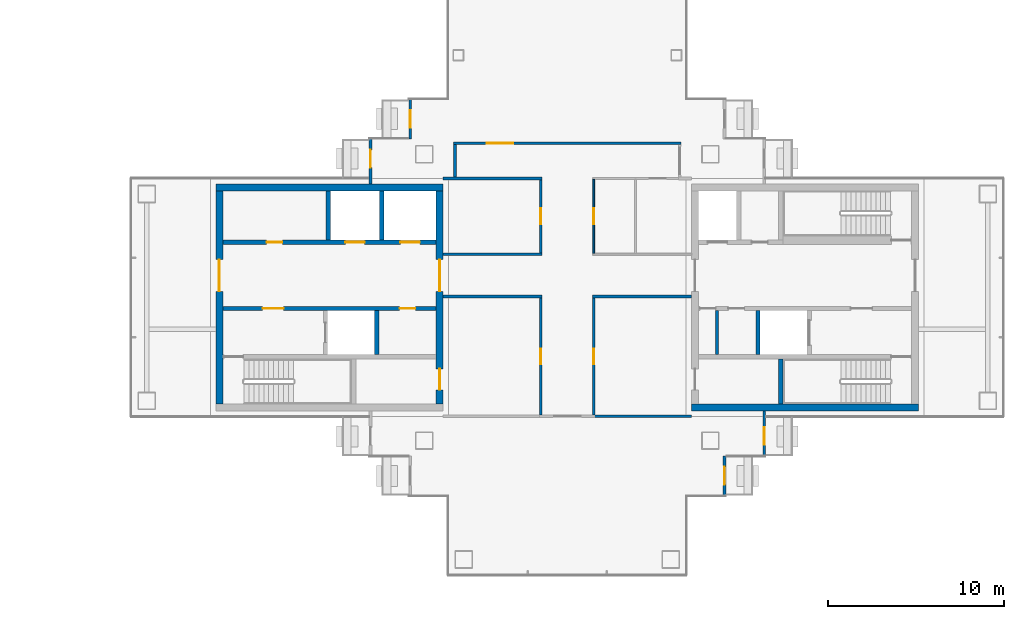
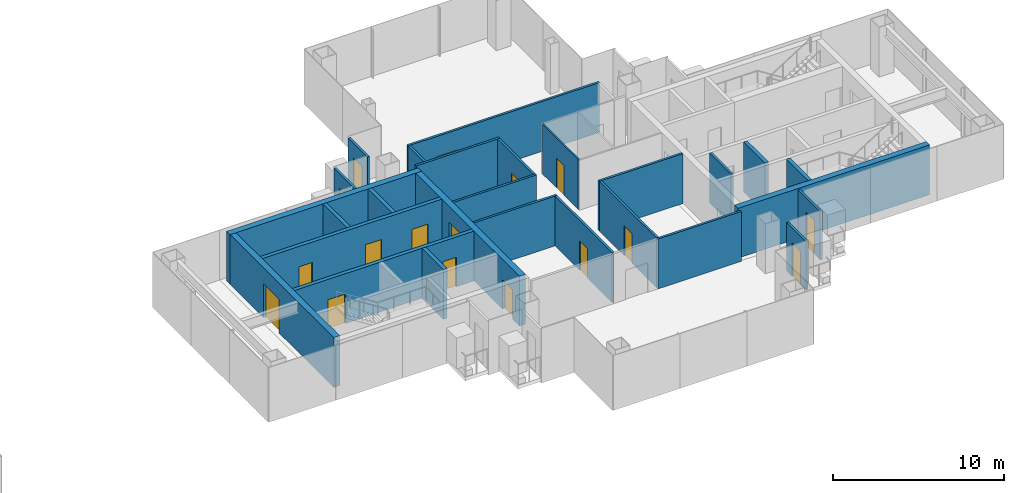
# One storey, part 11 of 16: 27 walls, 17 doors, 17 openings.
"""IFC4 building model written with IfcOpenShell, lengths in metres."""

from ifc_helpers import new_model, si_unit, direction, frame, frame_2d, origin, place, context, subcontext, project, spatial, rectangle, extrude, material, layer, layer_set, type_object, element, fill, save


model = new_model("IFC4")

# Units and contexts
model_context = context("Model", 3, precision=1e-05, world=origin(), true_north=direction((0.0, 1.0)))
body_context = subcontext(model_context, "Body", "Model", "MODEL_VIEW")
ifc_project = project(units=[si_unit("LENGTHUNIT", "METRE"), si_unit("AREAUNIT", "SQUARE_METRE"), si_unit("VOLUMEUNIT", "CUBIC_METRE"), si_unit("PLANEANGLEUNIT", "RADIAN"), si_unit("MASSUNIT", "GRAM", prefix="KILO")], contexts=[model_context])

# Site, building, storey
site_placement = place(None, origin())
site = spatial("IfcSite", under=ifc_project, at=site_placement, CompositionType="ELEMENT")
building_placement = place(site_placement, origin())
building = spatial("IfcBuilding", under=site, at=building_placement, Name="Shamsa Quay Exchange Towers", CompositionType="ELEMENT")
storey_placement = place(building_placement, frame((0.0, 0.0, 213.89990234375)))
storey = spatial("IfcBuildingStorey", under=building, at=storey_placement, Name="L51", CompositionType="ELEMENT", Elevation=213.89990234375)

# Wall, opening, door
ifc_material_1 = material(Name="Aluminium EN AW-6063 T6, black anodised, with black enamelled glass infill", Category="aluminium")
ifc_layer_1 = layer(ifc_material_1, 0.14990234375)
ifc_layer_set_1 = layer_set([ifc_layer_1], Name="BALCONY DOOR BAY WALL 150")
wall_type_1 = type_object("IfcWallType", Name="BALCONY DOOR BAY WALL 150", PredefinedType="SOLIDWALL", material=ifc_layer_set_1)
wall_1_placement = place(storey_placement, frame((24.824951171875, 9.0, 0.0), z_axis=(0.0, 0.0, 1.0), x_axis=(0.0, 1.0, 0.0)))
wall_1 = element("IfcWall", 1, at=wall_1_placement, inside=storey, type_object=wall_type_1, Name="Door bay T2-PKEN L51", PredefinedType="SOLIDWALL", context=body_context, shape_type="SweptSolid", body=[
    extrude(rectangle(XDim=2.25, YDim=0.14990234375, at=frame_2d((1.125, 0.0))), origin(), (0.0, 0.0, 1.0), 3.4501953125),
])
opening_1_placement = place(wall_1_placement, frame((0.625, 0.0, 0.0)))
opening_1 = element("IfcOpeningElement", 2, at=opening_1_placement, cuts=wall_1, Name="Opening XD337", PredefinedType="OPENING", context=body_context, shape_type="SweptSolid", body=[
    extrude(rectangle(XDim=1.0, YDim=2.39990234375, at=frame_2d((0.5, 1.199951171875))), frame((0.0, 0.0849609375, 0.0), z_axis=(0.0, -1.0, 0.0), x_axis=(1.0, 0.0, 0.0)), (0.0, 0.0, 1.0), 0.169921875),
])
ifc_material_2 = material(Name="Aluminium EN AW-6063 T6, black anodised, with laminated glass leaf", Category="aluminium")
door_type_1 = type_object("IfcDoorType", Name="BALCONY DOOR 1000x2400", OperationType="SINGLE_SWING_LEFT", PredefinedType="DOOR", material=ifc_material_2)
door_1_placement = place(opening_1_placement, origin())
door_1 = element("IfcDoor", 3, at=door_1_placement, inside=storey, type_object=door_type_1, Name="Balcony door T2-PKEN L51", OperationType="SINGLE_SWING_RIGHT", OverallHeight=2.39990234375, OverallWidth=1.0, PredefinedType="DOOR", context=body_context, shape_type="SweptSolid", body=[
    extrude(rectangle(XDim=1.0, YDim=2.39990234375, at=frame_2d((0.5, 1.199951171875))), frame((0.0, 0.02490234375, 0.0), z_axis=(0.0, -1.0, 0.0), x_axis=(1.0, 0.0, 0.0)), (0.0, 0.0, 1.0), 0.050048828125),
])
fill(opening_1, door_1)

wall_2_placement = place(storey_placement, frame((22.574951171875, 6.447998046875, 0.0), z_axis=(0.0, 0.0, 1.0), x_axis=(0.0, 1.0, 0.0)))
wall_2 = element("IfcWall", 4, at=wall_2_placement, inside=storey, type_object=wall_type_1, Name="Door bay T2-PKEN L51", PredefinedType="SOLIDWALL", context=body_context, shape_type="SweptSolid", body=[
    extrude(rectangle(XDim=2.552001953125, YDim=0.14990234375, at=frame_2d((1.27587890625, 0.0))), origin(), (0.0, 0.0, 1.0), 3.4501953125),
])
opening_2_placement = place(wall_2_placement, frame((0.927001953125, 0.0, 0.0)))
opening_2 = element("IfcOpeningElement", 5, at=opening_2_placement, cuts=wall_2, Name="Opening XD338", PredefinedType="OPENING", context=body_context, shape_type="SweptSolid", body=[
    extrude(rectangle(XDim=1.0, YDim=2.39990234375, at=frame_2d((0.5, 1.199951171875))), frame((0.0, 0.0849609375, 0.0), z_axis=(0.0, -1.0, 0.0), x_axis=(1.0, 0.0, 0.0)), (0.0, 0.0, 1.0), 0.169921875),
])
door_2_placement = place(opening_2_placement, origin())
door_2 = element("IfcDoor", 6, at=door_2_placement, inside=storey, type_object=door_type_1, Name="Balcony door T2-PKEN L51", OperationType="SINGLE_SWING_LEFT", OverallHeight=2.39990234375, OverallWidth=1.0, PredefinedType="DOOR", context=body_context, shape_type="SweptSolid", body=[
    extrude(rectangle(XDim=1.0, YDim=2.39990234375, at=frame_2d((0.5, 1.199951171875))), frame((0.0, 0.02490234375, 0.0), z_axis=(0.0, -1.0, 0.0), x_axis=(1.0, 0.0, 0.0)), (0.0, 0.0, 1.0), 0.050048828125),
])
fill(opening_2, door_2)

wall_3_placement = place(storey_placement, frame((42.675048828125, -9.0, 0.0), z_axis=(0.0, 0.0, 1.0), x_axis=(0.0, -1.0, 0.0)))
wall_3 = element("IfcWall", 7, at=wall_3_placement, inside=storey, type_object=wall_type_1, Name="Door bay T2-PKWS L51", PredefinedType="SOLIDWALL", context=body_context, shape_type="SweptSolid", body=[
    extrude(rectangle(XDim=2.25, YDim=0.14990234375, at=frame_2d((1.125, 0.0))), origin(), (0.0, 0.0, 1.0), 3.4501953125),
])
opening_3_placement = place(wall_3_placement, frame((0.625, 0.0, 0.0)))
opening_3 = element("IfcOpeningElement", 8, at=opening_3_placement, cuts=wall_3, Name="Opening XD343", PredefinedType="OPENING", context=body_context, shape_type="SweptSolid", body=[
    extrude(rectangle(XDim=1.0, YDim=2.39990234375, at=frame_2d((0.5, 1.199951171875))), frame((0.0, 0.0849609375, 0.0), z_axis=(0.0, -1.0, 0.0), x_axis=(1.0, 0.0, 0.0)), (0.0, 0.0, 1.0), 0.169921875),
])
door_3_placement = place(opening_3_placement, origin())
door_3 = element("IfcDoor", 9, at=door_3_placement, inside=storey, type_object=door_type_1, Name="Balcony door T2-PKWS L51", OperationType="SINGLE_SWING_LEFT", OverallHeight=2.39990234375, OverallWidth=1.0, PredefinedType="DOOR", context=body_context, shape_type="SweptSolid", body=[
    extrude(rectangle(XDim=1.0, YDim=2.39990234375, at=frame_2d((0.5, 1.199951171875))), frame((0.0, 0.02490234375, 0.0), z_axis=(0.0, -1.0, 0.0), x_axis=(1.0, 0.0, 0.0)), (0.0, 0.0, 1.0), 0.050048828125),
])
fill(opening_3, door_3)

wall_4_placement = place(storey_placement, frame((44.925048828125, -6.447998046875, 0.0), z_axis=(0.0, 0.0, 1.0), x_axis=(0.0, -1.0, 0.0)))
wall_4 = element("IfcWall", 10, at=wall_4_placement, inside=storey, type_object=wall_type_1, Name="Door bay T2-PKWS L51", PredefinedType="SOLIDWALL", context=body_context, shape_type="SweptSolid", body=[
    extrude(rectangle(XDim=2.552001953125, YDim=0.14990234375, at=frame_2d((1.27587890625, 0.0))), origin(), (0.0, 0.0, 1.0), 3.4501953125),
])
opening_4_placement = place(wall_4_placement, frame((0.927001953125, 0.0, 0.0)))
opening_4 = element("IfcOpeningElement", 11, at=opening_4_placement, cuts=wall_4, Name="Opening XD344", PredefinedType="OPENING", context=body_context, shape_type="SweptSolid", body=[
    extrude(rectangle(XDim=1.0, YDim=2.39990234375, at=frame_2d((0.5, 1.199951171875))), frame((0.0, 0.0849609375, 0.0), z_axis=(0.0, -1.0, 0.0), x_axis=(1.0, 0.0, 0.0)), (0.0, 0.0, 1.0), 0.169921875),
])
door_4_placement = place(opening_4_placement, origin())
door_4 = element("IfcDoor", 12, at=door_4_placement, inside=storey, type_object=door_type_1, Name="Balcony door T2-PKWS L51", OperationType="SINGLE_SWING_RIGHT", OverallHeight=2.39990234375, OverallWidth=1.0, PredefinedType="DOOR", context=body_context, shape_type="SweptSolid", body=[
    extrude(rectangle(XDim=1.0, YDim=2.39990234375, at=frame_2d((0.5, 1.199951171875))), frame((0.0, 0.02490234375, 0.0), z_axis=(0.0, -1.0, 0.0), x_axis=(1.0, 0.0, 0.0)), (0.0, 0.0, 1.0), 0.050048828125),
])
fill(opening_4, door_4)

# Wall
ifc_material_3 = material(Name="Concrete C60/75", Category="concrete")
ifc_layer_2 = layer(ifc_material_3, 0.39990234375)
ifc_layer_set_2 = layer_set([ifc_layer_2], Name="CORE WALL 400 C60/75")
wall_type_2 = type_object("IfcWallType", Name="CORE WALL 400 C60/75", PredefinedType="SHEAR", material=ifc_layer_set_2)
wall_5_placement = place(storey_placement, frame((13.800048828125, 6.25, 0.0)))
element("IfcWall", 13, at=wall_5_placement, inside=storey, type_object=wall_type_2, Name="Core wall T2A-R23-PN", PredefinedType="SHEAR", context=body_context, shape_type="SweptSolid", body=[
    extrude(rectangle(XDim=12.89990234375, YDim=0.39990234375, at=frame_2d((6.449951171875, 0.0))), origin(), (0.0, 0.0, 1.0), 3.550048828125),
])

# Wall, opening, door
wall_6_placement = place(storey_placement, frame((14.0, 6.050048828125, 0.0), z_axis=(0.0, 0.0, 1.0), x_axis=(0.0, -1.0, 0.0)))
wall_6 = element("IfcWall", 14, at=wall_6_placement, inside=storey, type_object=wall_type_2, Name="Core wall T2A-R23-PF", PredefinedType="SHEAR", context=body_context, shape_type="SweptSolid", body=[
    extrude(rectangle(XDim=12.10009765625, YDim=0.39990234375, at=frame_2d((6.050048828125, 0.0))), origin(), (0.0, 0.0, 1.0), 3.550048828125),
])
opening_5_placement = place(wall_6_placement, frame((3.89990234375, 0.0, 0.0)))
opening_5 = element("IfcOpeningElement", 15, at=opening_5_placement, cuts=wall_6, Name="Opening T2A-R23-LBD01", PredefinedType="OPENING", context=body_context, shape_type="SweptSolid", body=[
    extrude(rectangle(XDim=1.800048828125, YDim=2.39990234375, at=frame_2d((0.89990234375, 1.199951171875))), frame((0.0, 0.2099609375, 0.0), z_axis=(0.0, -1.0, 0.0), x_axis=(1.0, 0.0, 0.0)), (0.0, 0.0, 1.0), 0.419921875),
])
ifc_material_4 = material(Name="Steel, fire rated", Category="steel")
door_type_2 = type_object("IfcDoorType", Name="LIFT LOBBY DOOR PAIR 1800", OperationType="DOUBLE_DOOR_SINGLE_SWING", PredefinedType="DOOR", material=ifc_material_4)
door_5_placement = place(opening_5_placement, origin())
door_5 = element("IfcDoor", 16, at=door_5_placement, inside=storey, type_object=door_type_2, Name="T2A-R23-LBD01", OperationType="DOUBLE_DOOR_SINGLE_SWING", OverallHeight=2.39990234375, OverallWidth=1.800048828125, PredefinedType="DOOR", context=body_context, shape_type="SweptSolid", body=[
    extrude(rectangle(XDim=1.800048828125, YDim=2.39990234375, at=frame_2d((0.89990234375, 1.199951171875))), frame((0.0, 0.02490234375, 0.0), z_axis=(0.0, -1.0, 0.0), x_axis=(1.0, 0.0, 0.0)), (0.0, 0.0, 1.0), 0.050048828125),
])
fill(opening_5, door_5)

# Wall, openings, doors
wall_7_placement = place(storey_placement, frame((26.5, 6.050048828125, 0.0), z_axis=(0.0, 0.0, 1.0), x_axis=(0.0, -1.0, 0.0)))
wall_7 = element("IfcWall", 17, at=wall_7_placement, inside=storey, type_object=wall_type_2, Name="Core wall T2A-R23-PB", PredefinedType="SHEAR", context=body_context, shape_type="SweptSolid", body=[
    extrude(rectangle(XDim=12.10009765625, YDim=0.39990234375, at=frame_2d((6.050048828125, 0.0))), origin(), (0.0, 0.0, 1.0), 3.550048828125),
])
opening_6_placement = place(wall_7_placement, frame((10.10009765625, 0.0, 0.0)))
opening_6 = element("IfcOpeningElement", 18, at=opening_6_placement, cuts=wall_7, Name="Opening T2A-R23-RD02", PredefinedType="OPENING", context=body_context, shape_type="SweptSolid", body=[
    extrude(rectangle(XDim=1.199951171875, YDim=2.10009765625, at=frame_2d((0.60009765625, 1.050048828125))), frame((0.0, 0.2099609375, 0.0), z_axis=(0.0, -1.0, 0.0), x_axis=(1.0, 0.0, 0.0)), (0.0, 0.0, 1.0), 0.419921875),
])
opening_7_placement = place(wall_7_placement, frame((3.89990234375, 0.0, 0.0)))
opening_7 = element("IfcOpeningElement", 19, at=opening_7_placement, cuts=wall_7, Name="Opening T2A-R23-LBD03", PredefinedType="OPENING", context=body_context, shape_type="SweptSolid", body=[
    extrude(rectangle(XDim=1.800048828125, YDim=2.39990234375, at=frame_2d((0.89990234375, 1.199951171875))), frame((0.0, 0.2099609375, 0.0), z_axis=(0.0, -1.0, 0.0), x_axis=(1.0, 0.0, 0.0)), (0.0, 0.0, 1.0), 0.419921875),
])
door_6_placement = place(opening_7_placement, origin())
door_6 = element("IfcDoor", 20, at=door_6_placement, inside=storey, type_object=door_type_2, Name="T2A-R23-LBD03", OperationType="DOUBLE_DOOR_SINGLE_SWING", OverallHeight=2.39990234375, OverallWidth=1.800048828125, PredefinedType="DOOR", context=body_context, shape_type="SweptSolid", body=[
    extrude(rectangle(XDim=1.800048828125, YDim=2.39990234375, at=frame_2d((0.89990234375, 1.199951171875))), frame((0.0, 0.02490234375, 0.0), z_axis=(0.0, -1.0, 0.0), x_axis=(1.0, 0.0, 0.0)), (0.0, 0.0, 1.0), 0.050048828125),
])
fill(opening_7, door_6)
door_type_3 = type_object("IfcDoorType", Name="RISER ACCESS DOOR 1200", OperationType="SINGLE_SWING_LEFT", PredefinedType="DOOR", material=ifc_material_4)
door_7_placement = place(opening_6_placement, origin())
door_7 = element("IfcDoor", 21, at=door_7_placement, inside=storey, type_object=door_type_3, Name="T2A-R23-RD02", OperationType="SINGLE_SWING_RIGHT", OverallHeight=2.10009765625, OverallWidth=1.199951171875, PredefinedType="DOOR", context=body_context, shape_type="SweptSolid", body=[
    extrude(rectangle(XDim=1.199951171875, YDim=2.10009765625, at=frame_2d((0.60009765625, 1.050048828125))), frame((0.0, 0.02490234375, 0.0), z_axis=(0.0, -1.0, 0.0), x_axis=(1.0, 0.0, 0.0)), (0.0, 0.0, 1.0), 0.050048828125),
])
fill(opening_6, door_7)

# Walls
wall_8_placement = place(storey_placement, frame((53.699951171875, -6.25, 0.0), z_axis=(0.0, 0.0, 1.0), x_axis=(-1.0, 0.0, 0.0)))
element("IfcWall", 22, at=wall_8_placement, inside=storey, type_object=wall_type_2, Name="Core wall T2B-R23-PS", PredefinedType="SHEAR", context=body_context, shape_type="SweptSolid", body=[
    extrude(rectangle(XDim=12.89990234375, YDim=0.39990234375, at=frame_2d((6.449951171875, 0.0))), origin(), (0.0, 0.0, 1.0), 3.550048828125),
])
ifc_material_5 = material(Name="Gypsum board on steel studs, EI 60", Category="steel")
ifc_layer_3 = layer(ifc_material_5, 0.14990234375)
ifc_layer_set_3 = layer_set([ifc_layer_3], Name="FIRE PARTITION 150")
wall_type_3 = type_object("IfcWallType", Name="FIRE PARTITION 150", PredefinedType="PARTITIONING", material=ifc_layer_set_3)
wall_9_placement = place(storey_placement, frame((42.25, -3.25, 0.0), z_axis=(0.0, 0.0, 1.0), x_axis=(0.0, 1.0, 0.0)))
element("IfcWall", 23, at=wall_9_placement, inside=storey, type_object=wall_type_3, Name="Partition T2B-R23-EC0", PredefinedType="PARTITIONING", context=body_context, shape_type="SweptSolid", body=[
    extrude(rectangle(XDim=2.5, YDim=0.14990234375, at=frame_2d((1.25, 0.0))), origin(), (0.0, 0.0, 1.0), 3.550048828125),
])

# Wall, opening, door
ifc_material_6 = material(Name="Gypsum board partition on metal studs")
ifc_layer_4 = layer(ifc_material_6, 0.10009765625)
ifc_layer_set_4 = layer_set([ifc_layer_4], Name="Partition 100 mm NOT RATED")
wall_type_4 = type_object("IfcWallType", Name="Partition 100 mm NOT RATED", PredefinedType="PARTITIONING", material=ifc_layer_set_4)
wall_10_placement = place(storey_placement, frame((35.25, 6.699951171875, 0.0), z_axis=(0.0, 0.0, 1.0), x_axis=(0.0, -1.0, 0.0)))
wall_10 = element("IfcWall", 24, at=wall_10_placement, inside=storey, type_object=wall_type_4, Name="Partition T2-R23-W10", PredefinedType="PARTITIONING", context=body_context, shape_type="SweptSolid", body=[
    extrude(rectangle(XDim=4.19970703125, YDim=0.10009765625, at=frame_2d((2.099853515625, 0.0))), origin(), (0.0, 0.0, 1.0), 3.550048828125),
])
opening_8_placement = place(wall_10_placement, frame((1.64990234375, 0.0, 0.0)))
opening_8 = element("IfcOpeningElement", 25, at=opening_8_placement, cuts=wall_10, Name="Opening T2-R23-D03", PredefinedType="OPENING", context=body_context, shape_type="SweptSolid", body=[
    extrude(rectangle(XDim=0.89990234375, YDim=2.10009765625, at=frame_2d((0.449951171875, 1.050048828125))), frame((0.0, 0.06005859375, 0.0), z_axis=(0.0, -1.0, 0.0), x_axis=(1.0, 0.0, 0.0)), (0.0, 0.0, 1.0), 0.1201171875),
])
ifc_material_7 = material(Name="Timber door leaf in a metal frame", Category="wood")
door_type_4 = type_object("IfcDoorType", Name="Door 900x2100 NOT RATED", OperationType="NOTDEFINED", PredefinedType="DOOR", material=ifc_material_7)
door_8_placement = place(opening_8_placement, origin())
door_8 = element("IfcDoor", 26, at=door_8_placement, inside=storey, type_object=door_type_4, Name="Door T2-R23-D03", OperationType="SINGLE_SWING_RIGHT", OverallHeight=2.10009765625, OverallWidth=0.89990234375, PredefinedType="DOOR", context=body_context, shape_type="SweptSolid", body=[
    extrude(rectangle(XDim=0.89990234375, YDim=2.10009765625, at=frame_2d((0.449951171875, 1.050048828125))), frame((0.0, 0.02490234375, 0.0), z_axis=(0.0, -1.0, 0.0), x_axis=(1.0, 0.0, 0.0)), (0.0, 0.0, 1.0), 0.050048828125),
])
fill(opening_8, door_8)

# Wall
ifc_layer_5 = layer(ifc_material_6, 0.14990234375)
ifc_layer_set_5 = layer_set([ifc_layer_5], Name="Partition 150 mm EI 60")
wall_type_5 = type_object("IfcWallType", Name="Partition 150 mm EI 60", PredefinedType="PARTITIONING", material=ifc_layer_set_5)
wall_11_placement = place(storey_placement, frame((32.324951171875, 6.75, 0.0), z_axis=(0.0, 0.0, 1.0), x_axis=(-1.0, 0.0, 0.0)))
element("IfcWall", 27, at=wall_11_placement, inside=storey, type_object=wall_type_5, Name="Partition T2-R23-W01", PredefinedType="PARTITIONING", context=body_context, shape_type="SweptSolid", body=[
    extrude(rectangle(XDim=5.625, YDim=0.14990234375, at=frame_2d((2.8125, 0.0))), origin(), (0.0, 0.0, 1.0), 3.550048828125),
])

# Wall, opening, door
wall_12_placement = place(storey_placement, frame((32.25, 2.525146484375, 0.0), z_axis=(0.0, 0.0, 1.0), x_axis=(0.0, 1.0, 0.0)))
wall_12 = element("IfcWall", 28, at=wall_12_placement, inside=storey, type_object=wall_type_5, Name="Partition T2-R23-W03", PredefinedType="PARTITIONING", context=body_context, shape_type="SweptSolid", body=[
    extrude(rectangle(XDim=4.14990234375, YDim=0.14990234375, at=frame_2d((2.074951171875, 0.0))), origin(), (0.0, 0.0, 1.0), 3.550048828125),
])
opening_9_placement = place(wall_12_placement, frame((1.625, 0.0, 0.0)))
opening_9 = element("IfcOpeningElement", 29, at=opening_9_placement, cuts=wall_12, Name="Opening T2-R23-D07", PredefinedType="OPENING", context=body_context, shape_type="SweptSolid", body=[
    extrude(rectangle(XDim=0.89990234375, YDim=2.10009765625, at=frame_2d((0.449951171875, 1.050048828125))), frame((0.0, 0.0849609375, 0.0), z_axis=(0.0, -1.0, 0.0), x_axis=(1.0, 0.0, 0.0)), (0.0, 0.0, 1.0), 0.169921875),
])
door_type_5 = type_object("IfcDoorType", Name="Door 900x2100 FD30S", OperationType="NOTDEFINED", PredefinedType="DOOR", material=ifc_material_7)
door_9_placement = place(opening_9_placement, origin())
door_9 = element("IfcDoor", 30, at=door_9_placement, inside=storey, type_object=door_type_5, Name="Door T2-R23-D07", OperationType="SINGLE_SWING_LEFT", OverallHeight=2.10009765625, OverallWidth=0.89990234375, PredefinedType="DOOR", context=body_context, shape_type="SweptSolid", body=[
    extrude(rectangle(XDim=0.89990234375, YDim=2.10009765625, at=frame_2d((0.449951171875, 1.050048828125))), frame((0.0, 0.02490234375, 0.0), z_axis=(0.0, -1.0, 0.0), x_axis=(1.0, 0.0, 0.0)), (0.0, 0.0, 1.0), 0.050048828125),
])
fill(opening_9, door_9)

wall_13_placement = place(storey_placement, frame((32.25, -6.675048828125, 0.0), z_axis=(0.0, 0.0, 1.0), x_axis=(0.0, 1.0, 0.0)))
wall_13 = element("IfcWall", 31, at=wall_13_placement, inside=storey, type_object=wall_type_5, Name="Partition T2-R23-W04", PredefinedType="PARTITIONING", context=body_context, shape_type="SweptSolid", body=[
    extrude(rectangle(XDim=6.64990234375, YDim=0.14990234375, at=frame_2d((3.324951171875, 0.0))), origin(), (0.0, 0.0, 1.0), 3.550048828125),
])
opening_10_placement = place(wall_13_placement, frame((2.875, 0.0, 0.0)))
opening_10 = element("IfcOpeningElement", 32, at=opening_10_placement, cuts=wall_13, Name="Opening T2-R23-D06", PredefinedType="OPENING", context=body_context, shape_type="SweptSolid", body=[
    extrude(rectangle(XDim=0.89990234375, YDim=2.10009765625, at=frame_2d((0.449951171875, 1.050048828125))), frame((0.0, 0.0849609375, 0.0), z_axis=(0.0, -1.0, 0.0), x_axis=(1.0, 0.0, 0.0)), (0.0, 0.0, 1.0), 0.169921875),
])
door_10_placement = place(opening_10_placement, origin())
door_10 = element("IfcDoor", 33, at=door_10_placement, inside=storey, type_object=door_type_5, Name="Door T2-R23-D06", OperationType="SINGLE_SWING_LEFT", OverallHeight=2.10009765625, OverallWidth=0.89990234375, PredefinedType="DOOR", context=body_context, shape_type="SweptSolid", body=[
    extrude(rectangle(XDim=0.89990234375, YDim=2.10009765625, at=frame_2d((0.449951171875, 1.050048828125))), frame((0.0, 0.02490234375, 0.0), z_axis=(0.0, -1.0, 0.0), x_axis=(1.0, 0.0, 0.0)), (0.0, 0.0, 1.0), 0.050048828125),
])
fill(opening_10, door_10)

# Walls
wall_14_placement = place(storey_placement, frame((26.699951171875, 2.4501953125, 0.0)))
element("IfcWall", 34, at=wall_14_placement, inside=storey, type_object=wall_type_5, Name="Partition T2-R23-W05", PredefinedType="PARTITIONING", context=body_context, shape_type="SweptSolid", body=[
    extrude(rectangle(XDim=5.625, YDim=0.14990234375, at=frame_2d((2.8125, 0.0))), origin(), (0.0, 0.0, 1.0), 3.550048828125),
])
for number, where, z_axis, x_axis, name in (
    (35, (32.324951171875, 0.0498046875, 0.0), (0.0, 0.0, 1.0), (-1.0, 0.0, 0.0), "Partition T2-R23-W06"),
    (36, (40.800048828125, 0.0498046875, 0.0), (0.0, 0.0, 1.0), (-1.0, 0.0, 0.0), "Partition T2-R23-W07"),
):
    element("IfcWall", number, at=place(storey_placement, frame(where, z_axis=z_axis, x_axis=x_axis)), inside=storey, type_object=wall_type_5, Name=name, PredefinedType="PARTITIONING", context=body_context, shape_type="SweptSolid", body=[
        extrude(rectangle(XDim=5.625, YDim=0.14990234375, at=frame_2d((2.8125, 0.0))), origin(), (0.0, 0.0, 1.0), 3.550048828125),
    ])

# Wall, opening, door
wall_15_placement = place(storey_placement, frame((35.25, -0.025146484375, 0.0), z_axis=(0.0, 0.0, 1.0), x_axis=(0.0, -1.0, 0.0)))
wall_15 = element("IfcWall", 37, at=wall_15_placement, inside=storey, type_object=wall_type_5, Name="Partition T2-R23-W11", PredefinedType="PARTITIONING", context=body_context, shape_type="SweptSolid", body=[
    extrude(rectangle(XDim=6.64990234375, YDim=0.14990234375, at=frame_2d((3.324951171875, 0.0))), origin(), (0.0, 0.0, 1.0), 3.550048828125),
])
opening_11_placement = place(wall_15_placement, frame((2.875, 0.0, 0.0)))
opening_11 = element("IfcOpeningElement", 38, at=opening_11_placement, cuts=wall_15, Name="Opening T2-R23-D02", PredefinedType="OPENING", context=body_context, shape_type="SweptSolid", body=[
    extrude(rectangle(XDim=0.89990234375, YDim=2.10009765625, at=frame_2d((0.449951171875, 1.050048828125))), frame((0.0, 0.0849609375, 0.0), z_axis=(0.0, -1.0, 0.0), x_axis=(1.0, 0.0, 0.0)), (0.0, 0.0, 1.0), 0.169921875),
])
door_11_placement = place(opening_11_placement, origin())
door_11 = element("IfcDoor", 39, at=door_11_placement, inside=storey, type_object=door_type_5, Name="Door T2-R23-D02", OperationType="SINGLE_SWING_RIGHT", OverallHeight=2.10009765625, OverallWidth=0.89990234375, PredefinedType="DOOR", context=body_context, shape_type="SweptSolid", body=[
    extrude(rectangle(XDim=0.89990234375, YDim=2.10009765625, at=frame_2d((0.449951171875, 1.050048828125))), frame((0.0, 0.02490234375, 0.0), z_axis=(0.0, -1.0, 0.0), x_axis=(1.0, 0.0, 0.0)), (0.0, 0.0, 1.0), 0.050048828125),
])
fill(opening_11, door_11)

wall_16_placement = place(storey_placement, frame((40.199951171875, 8.75, 0.0), z_axis=(0.0, 0.0, 1.0), x_axis=(-1.0, 0.0, 0.0)))
wall_16 = element("IfcWall", 40, at=wall_16_placement, inside=storey, type_object=wall_type_5, Name="Partition T2-R23-W13", PredefinedType="PARTITIONING", context=body_context, shape_type="SweptSolid", body=[
    extrude(rectangle(XDim=12.89990234375, YDim=0.14990234375, at=frame_2d((6.449951171875, 0.0))), origin(), (0.0, 0.0, 1.0), 3.550048828125),
])
opening_12_placement = place(wall_16_placement, frame((9.52490234375, 0.0, 0.0)))
opening_12 = element("IfcOpeningElement", 41, at=opening_12_placement, cuts=wall_16, Name="Opening T2-R23-D08", PredefinedType="OPENING", context=body_context, shape_type="SweptSolid", body=[
    extrude(rectangle(XDim=1.5, YDim=2.10009765625, at=frame_2d((0.75, 1.050048828125))), frame((0.0, 0.0849609375, 0.0), z_axis=(0.0, -1.0, 0.0), x_axis=(1.0, 0.0, 0.0)), (0.0, 0.0, 1.0), 0.169921875),
])
door_type_6 = type_object("IfcDoorType", Name="Door 1500x2100 FD30S pair", OperationType="NOTDEFINED", PredefinedType="DOOR", material=ifc_material_7)
door_12_placement = place(opening_12_placement, origin())
door_12 = element("IfcDoor", 42, at=door_12_placement, inside=storey, type_object=door_type_6, Name="Door T2-R23-D08", OperationType="DOUBLE_DOOR_SINGLE_SWING", OverallHeight=2.10009765625, OverallWidth=1.5, PredefinedType="DOOR", context=body_context, shape_type="SweptSolid", body=[
    extrude(rectangle(XDim=1.5, YDim=2.10009765625, at=frame_2d((0.75, 1.050048828125))), frame((0.0, 0.02490234375, 0.0), z_axis=(0.0, -1.0, 0.0), x_axis=(1.0, 0.0, 0.0)), (0.0, 0.0, 1.0), 0.050048828125),
])
fill(opening_12, door_12)

# Walls
wall_17_placement = place(storey_placement, frame((27.375, 8.675048828125, 0.0), z_axis=(0.0, 0.0, 1.0), x_axis=(0.0, -1.0, 0.0)))
element("IfcWall", 43, at=wall_17_placement, inside=storey, type_object=wall_type_5, Name="Partition T2-R23-W14", PredefinedType="PARTITIONING", context=body_context, shape_type="SweptSolid", body=[
    extrude(rectangle(XDim=1.85009765625, YDim=0.14990234375, at=frame_2d((0.925048828125, 0.0))), origin(), (0.0, 0.0, 1.0), 3.550048828125),
])
wall_18_placement = place(storey_placement, frame((35.175048828125, -6.75, 0.0)))
element("IfcWall", 44, at=wall_18_placement, inside=storey, type_object=wall_type_5, Name="Partition T2-R23-W16", PredefinedType="PARTITIONING", context=body_context, shape_type="SweptSolid", body=[
    extrude(rectangle(XDim=5.625, YDim=0.14990234375, at=frame_2d((2.8125, 0.0))), origin(), (0.0, 0.0, 1.0), 3.550048828125),
])

# Wall, openings, doors
ifc_material_8 = material(Name="Concrete C50/60", Category="concrete")
ifc_layer_6 = layer(ifc_material_8, 0.25)
ifc_layer_set_6 = layer_set([ifc_layer_6], Name="SHAFT WALL 250 C50/60")
wall_type_6 = type_object("IfcWallType", Name="SHAFT WALL 250 C50/60", PredefinedType="SHEAR", material=ifc_layer_set_6)
wall_19_placement = place(storey_placement, frame((26.300048828125, -0.625, 0.0), z_axis=(0.0, 0.0, 1.0), x_axis=(-1.0, 0.0, 0.0)))
wall_19 = element("IfcWall", 45, at=wall_19_placement, inside=storey, type_object=wall_type_6, Name="Shaft wall T2A-R23-B", PredefinedType="SHEAR", context=body_context, shape_type="SweptSolid", body=[
    extrude(rectangle(XDim=12.10009765625, YDim=0.25, at=frame_2d((6.050048828125, 0.0))), origin(), (0.0, 0.0, 1.0), 3.550048828125),
])
opening_13_placement = place(wall_19_placement, frame((8.64990234375, 0.0, 0.0)))
opening_13 = element("IfcOpeningElement", 46, at=opening_13_placement, cuts=wall_19, Name="Opening T2A-R23-FD05", PredefinedType="OPENING", context=body_context, shape_type="SweptSolid", body=[
    extrude(rectangle(XDim=1.199951171875, YDim=2.10009765625, at=frame_2d((0.60009765625, 1.050048828125))), frame((0.0, 0.135009765625, 0.0), z_axis=(0.0, -1.0, 0.0), x_axis=(1.0, 0.0, 0.0)), (0.0, 0.0, 1.0), 0.27001953125),
])
opening_14_placement = place(wall_19_placement, frame((1.175048828125, 0.0, 0.0)))
opening_14 = element("IfcOpeningElement", 47, at=opening_14_placement, cuts=wall_19, Name="Opening T2A-R23-SV06", PredefinedType="OPENING", context=body_context, shape_type="SweptSolid", body=[
    extrude(rectangle(XDim=0.89990234375, YDim=2.10009765625, at=frame_2d((0.449951171875, 1.050048828125))), frame((0.0, 0.135009765625, 0.0), z_axis=(0.0, -1.0, 0.0), x_axis=(1.0, 0.0, 0.0)), (0.0, 0.0, 1.0), 0.27001953125),
])
door_type_7 = type_object("IfcDoorType", Name="FIRE SERVICE LOBBY DOOR 1200", OperationType="SINGLE_SWING_LEFT", PredefinedType="DOOR", material=ifc_material_4)
door_13_placement = place(opening_13_placement, origin())
door_13 = element("IfcDoor", 48, at=door_13_placement, inside=storey, type_object=door_type_7, Name="T2A-R23-FD05", OperationType="SINGLE_SWING_RIGHT", OverallHeight=2.10009765625, OverallWidth=1.199951171875, PredefinedType="DOOR", context=body_context, shape_type="SweptSolid", body=[
    extrude(rectangle(XDim=1.199951171875, YDim=2.10009765625, at=frame_2d((0.60009765625, 1.050048828125))), frame((0.0, 0.02490234375, 0.0), z_axis=(0.0, -1.0, 0.0), x_axis=(1.0, 0.0, 0.0)), (0.0, 0.0, 1.0), 0.050048828125),
])
fill(opening_13, door_13)
door_type_8 = type_object("IfcDoorType", Name="SERVICE ROOM DOOR 900", OperationType="SINGLE_SWING_LEFT", PredefinedType="DOOR", material=ifc_material_4)
door_14_placement = place(opening_14_placement, origin())
door_14 = element("IfcDoor", 49, at=door_14_placement, inside=storey, type_object=door_type_8, Name="T2A-R23-SV06", OperationType="SINGLE_SWING_LEFT", OverallHeight=2.10009765625, OverallWidth=0.89990234375, PredefinedType="DOOR", context=body_context, shape_type="SweptSolid", body=[
    extrude(rectangle(XDim=0.89990234375, YDim=2.10009765625, at=frame_2d((0.449951171875, 1.050048828125))), frame((0.0, 0.02490234375, 0.0), z_axis=(0.0, -1.0, 0.0), x_axis=(1.0, 0.0, 0.0)), (0.0, 0.0, 1.0), 0.050048828125),
])
fill(opening_14, door_14)

# Wall
wall_20_placement = place(storey_placement, frame((22.925048828125, -3.25, 0.0), z_axis=(0.0, 0.0, 1.0), x_axis=(0.0, 1.0, 0.0)))
element("IfcWall", 50, at=wall_20_placement, inside=storey, type_object=wall_type_6, Name="Shaft wall T2A-R23-FFB", PredefinedType="SHEAR", context=body_context, shape_type="SweptSolid", body=[
    extrude(rectangle(XDim=2.5, YDim=0.25, at=frame_2d((1.25, 0.0))), origin(), (0.0, 0.0, 1.0), 3.550048828125),
])

# Wall, openings, doors
wall_21_placement = place(storey_placement, frame((14.199951171875, 3.125, 0.0)))
wall_21 = element("IfcWall", 51, at=wall_21_placement, inside=storey, type_object=wall_type_6, Name="Shaft wall T2A-R23-N", PredefinedType="SHEAR", context=body_context, shape_type="SweptSolid", body=[
    extrude(rectangle(XDim=12.10009765625, YDim=0.25, at=frame_2d((6.050048828125, 0.0))), origin(), (0.0, 0.0, 1.0), 3.550048828125),
])
opening_15_placement = place(wall_21_placement, frame((6.949951171875, 0.0, 0.0)))
opening_15 = element("IfcOpeningElement", 52, at=opening_15_placement, cuts=wall_21, Name="Opening T2A-R23-LD08", PredefinedType="OPENING", context=body_context, shape_type="SweptSolid", body=[
    extrude(rectangle(XDim=1.10009765625, YDim=2.10009765625, at=frame_2d((0.550048828125, 1.050048828125))), frame((0.0, 0.135009765625, 0.0), z_axis=(0.0, -1.0, 0.0), x_axis=(1.0, 0.0, 0.0)), (0.0, 0.0, 1.0), 0.27001953125),
])
opening_16_placement = place(wall_21_placement, frame((10.074951171875, 0.0, 0.0)))
opening_16 = element("IfcOpeningElement", 53, at=opening_16_placement, cuts=wall_21, Name="Opening T2A-R23-LD09", PredefinedType="OPENING", context=body_context, shape_type="SweptSolid", body=[
    extrude(rectangle(XDim=1.10009765625, YDim=2.10009765625, at=frame_2d((0.550048828125, 1.050048828125))), frame((0.0, 0.135009765625, 0.0), z_axis=(0.0, -1.0, 0.0), x_axis=(1.0, 0.0, 0.0)), (0.0, 0.0, 1.0), 0.27001953125),
])
opening_17_placement = place(wall_21_placement, frame((2.47509765625, 0.0, 0.0)))
opening_17 = element("IfcOpeningElement", 54, at=opening_17_placement, cuts=wall_21, Name="Opening T2A-R23-SV10", PredefinedType="OPENING", context=body_context, shape_type="SweptSolid", body=[
    extrude(rectangle(XDim=0.89990234375, YDim=2.10009765625, at=frame_2d((0.449951171875, 1.050048828125))), frame((0.0, 0.135009765625, 0.0), z_axis=(0.0, -1.0, 0.0), x_axis=(1.0, 0.0, 0.0)), (0.0, 0.0, 1.0), 0.27001953125),
])
door_type_9 = type_object("IfcDoorType", Name="LANDING DOOR 1100", OperationType="SLIDING_TO_LEFT", PredefinedType="DOOR", material=ifc_material_4)
door_15_placement = place(opening_15_placement, origin())
door_15 = element("IfcDoor", 55, at=door_15_placement, inside=storey, type_object=door_type_9, Name="T2A-R23-LD08", OperationType="SLIDING_TO_LEFT", OverallHeight=2.10009765625, OverallWidth=1.10009765625, PredefinedType="DOOR", context=body_context, shape_type="SweptSolid", body=[
    extrude(rectangle(XDim=1.10009765625, YDim=2.10009765625, at=frame_2d((0.550048828125, 1.050048828125))), frame((0.0, 0.02490234375, 0.0), z_axis=(0.0, -1.0, 0.0), x_axis=(1.0, 0.0, 0.0)), (0.0, 0.0, 1.0), 0.050048828125),
])
fill(opening_15, door_15)
door_16_placement = place(opening_16_placement, origin())
door_16 = element("IfcDoor", 56, at=door_16_placement, inside=storey, type_object=door_type_9, Name="T2A-R23-LD09", OperationType="SLIDING_TO_LEFT", OverallHeight=2.10009765625, OverallWidth=1.10009765625, PredefinedType="DOOR", context=body_context, shape_type="SweptSolid", body=[
    extrude(rectangle(XDim=1.10009765625, YDim=2.10009765625, at=frame_2d((0.550048828125, 1.050048828125))), frame((0.0, 0.02490234375, 0.0), z_axis=(0.0, -1.0, 0.0), x_axis=(1.0, 0.0, 0.0)), (0.0, 0.0, 1.0), 0.050048828125),
])
fill(opening_16, door_16)
door_17_placement = place(opening_17_placement, origin())
door_17 = element("IfcDoor", 57, at=door_17_placement, inside=storey, type_object=door_type_8, Name="T2A-R23-SV10", OperationType="SINGLE_SWING_LEFT", OverallHeight=2.10009765625, OverallWidth=0.89990234375, PredefinedType="DOOR", context=body_context, shape_type="SweptSolid", body=[
    extrude(rectangle(XDim=0.89990234375, YDim=2.10009765625, at=frame_2d((0.449951171875, 1.050048828125))), frame((0.0, 0.02490234375, 0.0), z_axis=(0.0, -1.0, 0.0), x_axis=(1.0, 0.0, 0.0)), (0.0, 0.0, 1.0), 0.050048828125),
])
fill(opening_17, door_17)

# Walls
for number, where, z_axis, x_axis, name in (
    (58, (20.175048828125, 3.25, 0.0), (0.0, 0.0, 1.0), (0.0, 1.0, 0.0), "Shaft wall T2A-R23-D1"),
    (59, (23.22509765625, 3.25, 0.0), (0.0, 0.0, 1.0), (0.0, 1.0, 0.0), "Shaft wall T2A-R23-D2"),
):
    element("IfcWall", number, at=place(storey_placement, frame(where, z_axis=z_axis, x_axis=x_axis)), inside=storey, type_object=wall_type_6, Name=name, PredefinedType="SHEAR", context=body_context, shape_type="SweptSolid", body=[
        extrude(rectangle(XDim=2.800048828125, YDim=0.25, at=frame_2d((1.39990234375, 0.0))), origin(), (0.0, 0.0, 1.0), 3.550048828125),
    ])
wall_22_placement = place(storey_placement, frame((45.875, -6.050048828125, 0.0), z_axis=(0.0, 0.0, 1.0), x_axis=(0.0, 1.0, 0.0)))
element("IfcWall", 60, at=wall_22_placement, inside=storey, type_object=wall_type_6, Name="Shaft wall T2B-R23-STF", PredefinedType="SHEAR", context=body_context, shape_type="SweptSolid", body=[
    extrude(rectangle(XDim=2.550048828125, YDim=0.25, at=frame_2d((1.27490234375, 0.0))), origin(), (0.0, 0.0, 1.0), 3.550048828125),
])
wall_23_placement = place(storey_placement, frame((44.574951171875, -3.25, 0.0), z_axis=(0.0, 0.0, 1.0), x_axis=(0.0, 1.0, 0.0)))
element("IfcWall", 61, at=wall_23_placement, inside=storey, type_object=wall_type_6, Name="Shaft wall T2B-R23-FFB", PredefinedType="SHEAR", context=body_context, shape_type="SweptSolid", body=[
    extrude(rectangle(XDim=2.5, YDim=0.25, at=frame_2d((1.25, 0.0))), origin(), (0.0, 0.0, 1.0), 3.550048828125),
])

save(model, "model.ifc")
